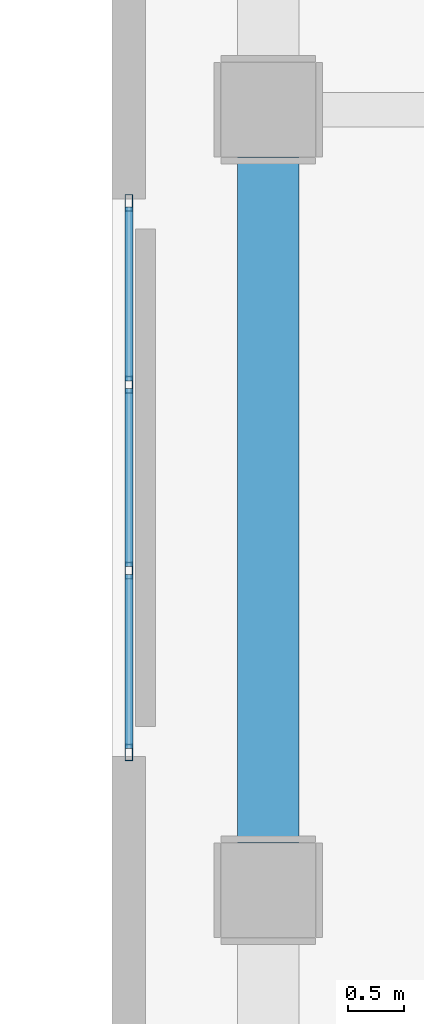
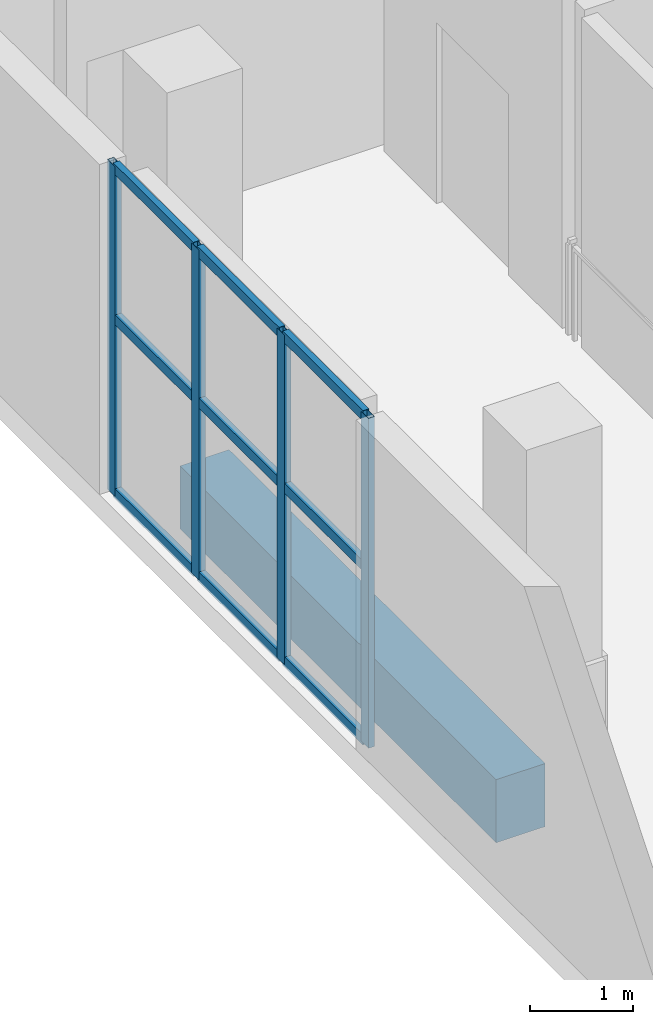
# One storey, part 8 of 20: 13 members, 1 beam, 1 element without a shape of its own.
"""IFC4 building model written with IfcOpenShell, lengths in metres."""

from ifc_helpers import new_model, si_unit, direction, frame, origin, origin_2d, place, context, subcontext, project, spatial, rectangle, hollow_rectangle, extrude, material, layer, layer_set, material_profile, profile_set, type_object, element, aggregate, save


model = new_model("IFC4")

# Units and contexts
model_context = context("Model", 3, precision=1e-05, world=origin(), true_north=direction((0.0, 1.0)))
body_context = subcontext(model_context, "Body", "Model", "MODEL_VIEW")
ifc_project = project(units=[si_unit("LENGTHUNIT", "METRE"), si_unit("AREAUNIT", "SQUARE_METRE"), si_unit("VOLUMEUNIT", "CUBIC_METRE"), si_unit("PLANEANGLEUNIT", "RADIAN"), si_unit("MASSUNIT", "GRAM", prefix="KILO")], contexts=[model_context])

# Site, building, storey
site_placement = place(None, origin())
site = spatial("IfcSite", under=ifc_project, at=site_placement, CompositionType="ELEMENT")
building_placement = place(site_placement, origin())
building = spatial("IfcBuilding", under=site, at=building_placement, Name="Solanera Arch Residences", CompositionType="ELEMENT")
storey_placement = place(building_placement, frame((0.0, 0.0, 9.39990234375)))
storey = spatial("IfcBuildingStorey", under=building, at=storey_placement, Name="L02", CompositionType="ELEMENT", Elevation=9.39990234375)

# Curtain wall, members
ifc_material_1 = material(Name="Anodised Aluminium Alloy 6063-T6", Category="aluminium")
ifc_layer = layer(ifc_material_1, 0.159912109375)
ifc_layer_set = layer_set([ifc_layer], Name="Anodised Aluminium Alloy 6063-T6")
curtain_wall_type = type_object("IfcCurtainWallType", Name="CW-3 Sports Hall Foyer Curtain Wall", PredefinedType="USERDEFINED", material=ifc_layer_set)
curtain_wall_placement = place(storey_placement, origin())
curtain_wall = element("IfcCurtainWall", 1, at=curtain_wall_placement, inside=storey, type_object=curtain_wall_type, Name="L02 Sports Hall Foyer Curtain Wall 2", ObjectType="CURTAIN_WALL", PredefinedType="USERDEFINED")
ifc_material_2 = material(Name="Anodised Aluminium Alloy 6063-T6", Category="aluminium")
ifc_material_profile_1 = material_profile(ifc_material_2, hollow_rectangle(XDim=0.070068359375, YDim=0.14990234375, WallThickness=0.00390625, at=origin_2d()))
ifc_profile_set_1 = profile_set([ifc_material_profile_1], Name="Anodised Aluminium Alloy 6063-T6")
member_type_1 = type_object("IfcMemberType", Name="Curtain Wall Mullion ALU-MUL-70X150", PredefinedType="MULLION", material=ifc_profile_set_1)
member_1_placement = place(storey_placement, frame((54.550048828125, 35.635009765625, 0.0), z_axis=(0.0, 0.0, 1.0), x_axis=(-1.0, 0.0, 0.0)))
member_1 = element("IfcMember", 2, at=member_1_placement, type_object=member_type_1, Name="CW-3 mullion 1", PredefinedType="MULLION", context=body_context, shape_type="SweptSolid", body=[
    extrude(hollow_rectangle(XDim=0.070068359375, YDim=0.14990234375, WallThickness=0.00390625, at=origin_2d()), origin(), (0.0, 0.0, 1.0), 3.920166015625),
])
member_2_placement = place(storey_placement, frame((54.550048828125, 37.2666015625, 0.0), z_axis=(0.0, 0.0, 1.0), x_axis=(-1.0, 0.0, 0.0)))
member_2 = element("IfcMember", 3, at=member_2_placement, type_object=member_type_1, Name="CW-3 mullion 2", PredefinedType="MULLION", context=body_context, shape_type="SweptSolid", body=[
    extrude(hollow_rectangle(XDim=0.070068359375, YDim=0.14990234375, WallThickness=0.00390625, at=origin_2d()), origin(), (0.0, 0.0, 1.0), 3.920166015625),
])
member_3_placement = place(storey_placement, frame((54.550048828125, 38.933349609375, 0.0), z_axis=(0.0, 0.0, 1.0), x_axis=(-1.0, 0.0, 0.0)))
member_3 = element("IfcMember", 4, at=member_3_placement, type_object=member_type_1, Name="CW-3 mullion 3", PredefinedType="MULLION", context=body_context, shape_type="SweptSolid", body=[
    extrude(hollow_rectangle(XDim=0.070068359375, YDim=0.14990234375, WallThickness=0.00390625, at=origin_2d()), origin(), (0.0, 0.0, 1.0), 3.920166015625),
])
member_4_placement = place(storey_placement, frame((54.550048828125, 40.56494140625, 0.0), z_axis=(0.0, 0.0, 1.0), x_axis=(-1.0, 0.0, 0.0)))
member_4 = element("IfcMember", 5, at=member_4_placement, type_object=member_type_1, Name="CW-3 mullion 4", PredefinedType="MULLION", context=body_context, shape_type="SweptSolid", body=[
    extrude(hollow_rectangle(XDim=0.070068359375, YDim=0.14990234375, WallThickness=0.00390625, at=origin_2d()), origin(), (0.0, 0.0, 1.0), 3.920166015625),
])
ifc_material_3 = material(Name="Anodised Aluminium Alloy 6063-T6", Category="aluminium")
ifc_material_profile_2 = material_profile(ifc_material_3, hollow_rectangle(XDim=0.070068359375, YDim=0.1201171875, WallThickness=0.00390625, at=origin_2d()))
ifc_profile_set_2 = profile_set([ifc_material_profile_2], Name="Anodised Aluminium Alloy 6063-T6")
member_type_2 = type_object("IfcMemberType", Name="Curtain Wall Transom ALU-TRN-70X120", PredefinedType="USERDEFINED", material=ifc_profile_set_2)
member_5_placement = place(storey_placement, frame((54.550048828125, 35.669921875, 0.03515625), z_axis=(0.0, 1.0, 0.0), x_axis=(-1.0, 0.0, 0.0)))
member_5 = element("IfcMember", 6, at=member_5_placement, type_object=member_type_2, Name="CW-3 transom 1.1", ObjectType="TRANSOM", PredefinedType="USERDEFINED", context=body_context, shape_type="SweptSolid", body=[
    extrude(hollow_rectangle(XDim=0.070068359375, YDim=0.1201171875, WallThickness=0.00390625, at=origin_2d()), origin(), (0.0, 0.0, 1.0), 1.561767578125),
])
member_6_placement = place(storey_placement, frame((54.550048828125, 35.669921875, 2.10009765625), z_axis=(0.0, 1.0, 0.0), x_axis=(-1.0, 0.0, 0.0)))
member_6 = element("IfcMember", 7, at=member_6_placement, type_object=member_type_2, Name="CW-3 transom 1.2", ObjectType="TRANSOM", PredefinedType="USERDEFINED", context=body_context, shape_type="SweptSolid", body=[
    extrude(hollow_rectangle(XDim=0.070068359375, YDim=0.1201171875, WallThickness=0.00390625, at=origin_2d()), origin(), (0.0, 0.0, 1.0), 1.561767578125),
])
member_7_placement = place(storey_placement, frame((54.550048828125, 35.669921875, 3.885009765625), z_axis=(0.0, 1.0, 0.0), x_axis=(-1.0, 0.0, 0.0)))
member_7 = element("IfcMember", 8, at=member_7_placement, type_object=member_type_2, Name="CW-3 transom 1.3", ObjectType="TRANSOM", PredefinedType="USERDEFINED", context=body_context, shape_type="SweptSolid", body=[
    extrude(hollow_rectangle(XDim=0.070068359375, YDim=0.1201171875, WallThickness=0.00390625, at=origin_2d()), origin(), (0.0, 0.0, 1.0), 1.561767578125),
])
member_8_placement = place(storey_placement, frame((54.550048828125, 37.3017578125, 0.03515625), z_axis=(0.0, 1.0, 0.0), x_axis=(-1.0, 0.0, 0.0)))
member_8 = element("IfcMember", 9, at=member_8_placement, type_object=member_type_2, Name="CW-3 transom 2.1", ObjectType="TRANSOM", PredefinedType="USERDEFINED", context=body_context, shape_type="SweptSolid", body=[
    extrude(hollow_rectangle(XDim=0.070068359375, YDim=0.1201171875, WallThickness=0.00390625, at=origin_2d()), origin(), (0.0, 0.0, 1.0), 1.5966796875),
])
member_9_placement = place(storey_placement, frame((54.550048828125, 37.3017578125, 2.10009765625), z_axis=(0.0, 1.0, 0.0), x_axis=(-1.0, 0.0, 0.0)))
member_9 = element("IfcMember", 10, at=member_9_placement, type_object=member_type_2, Name="CW-3 transom 2.2", ObjectType="TRANSOM", PredefinedType="USERDEFINED", context=body_context, shape_type="SweptSolid", body=[
    extrude(hollow_rectangle(XDim=0.070068359375, YDim=0.1201171875, WallThickness=0.00390625, at=origin_2d()), origin(), (0.0, 0.0, 1.0), 1.5966796875),
])
member_10_placement = place(storey_placement, frame((54.550048828125, 37.3017578125, 3.885009765625), z_axis=(0.0, 1.0, 0.0), x_axis=(-1.0, 0.0, 0.0)))
member_10 = element("IfcMember", 11, at=member_10_placement, type_object=member_type_2, Name="CW-3 transom 2.3", ObjectType="TRANSOM", PredefinedType="USERDEFINED", context=body_context, shape_type="SweptSolid", body=[
    extrude(hollow_rectangle(XDim=0.070068359375, YDim=0.1201171875, WallThickness=0.00390625, at=origin_2d()), origin(), (0.0, 0.0, 1.0), 1.5966796875),
])
member_11_placement = place(storey_placement, frame((54.550048828125, 38.96826171875, 0.03515625), z_axis=(0.0, 1.0, 0.0), x_axis=(-1.0, 0.0, 0.0)))
member_11 = element("IfcMember", 12, at=member_11_placement, type_object=member_type_2, Name="CW-3 transom 3.1", ObjectType="TRANSOM", PredefinedType="USERDEFINED", context=body_context, shape_type="SweptSolid", body=[
    extrude(hollow_rectangle(XDim=0.070068359375, YDim=0.1201171875, WallThickness=0.00390625, at=origin_2d()), origin(), (0.0, 0.0, 1.0), 1.561767578125),
])
member_12_placement = place(storey_placement, frame((54.550048828125, 38.96826171875, 2.10009765625), z_axis=(0.0, 1.0, 0.0), x_axis=(-1.0, 0.0, 0.0)))
member_12 = element("IfcMember", 13, at=member_12_placement, type_object=member_type_2, Name="CW-3 transom 3.2", ObjectType="TRANSOM", PredefinedType="USERDEFINED", context=body_context, shape_type="SweptSolid", body=[
    extrude(hollow_rectangle(XDim=0.070068359375, YDim=0.1201171875, WallThickness=0.00390625, at=origin_2d()), origin(), (0.0, 0.0, 1.0), 1.561767578125),
])
member_13_placement = place(storey_placement, frame((54.550048828125, 38.96826171875, 3.885009765625), z_axis=(0.0, 1.0, 0.0), x_axis=(-1.0, 0.0, 0.0)))
member_13 = element("IfcMember", 14, at=member_13_placement, type_object=member_type_2, Name="CW-3 transom 3.3", ObjectType="TRANSOM", PredefinedType="USERDEFINED", context=body_context, shape_type="SweptSolid", body=[
    extrude(hollow_rectangle(XDim=0.070068359375, YDim=0.1201171875, WallThickness=0.00390625, at=origin_2d()), origin(), (0.0, 0.0, 1.0), 1.561767578125),
])
aggregate(curtain_wall, [member_1, member_2, member_3, member_4, member_5, member_6, member_7, member_8, member_9, member_10, member_11, member_12, member_13])

# Beam
ifc_material_4 = material(Name="Concrete C40/50 (f'c = 45 MPa)", Category="concrete")
ifc_material_profile_3 = material_profile(ifc_material_4, rectangle(XDim=0.550048828125, YDim=0.75, at=origin_2d()))
ifc_profile_set_3 = profile_set([ifc_material_profile_3], Name="Concrete C40/50 (f'c = 45 MPa)")
beam_type = type_object("IfcBeamType", Name="Primary Beam RC-BM-550X750", PredefinedType="BEAM", material=ifc_profile_set_3)
beam_placement = place(storey_placement, frame((55.800048828125, 34.824951171875, -0.65478515625), z_axis=(0.0, 1.0, 0.0), x_axis=(-1.0, 0.0, 0.0)))
element("IfcBeam", 15, at=beam_placement, inside=storey, type_object=beam_type, Name="BM-L02-HW-4", PredefinedType="BEAM", context=body_context, shape_type="SweptSolid", body=[
    extrude(rectangle(XDim=0.550048828125, YDim=0.75, at=origin_2d()), origin(), (0.0, 0.0, 1.0), 6.150146484375),
])

save(model, "model.ifc")
